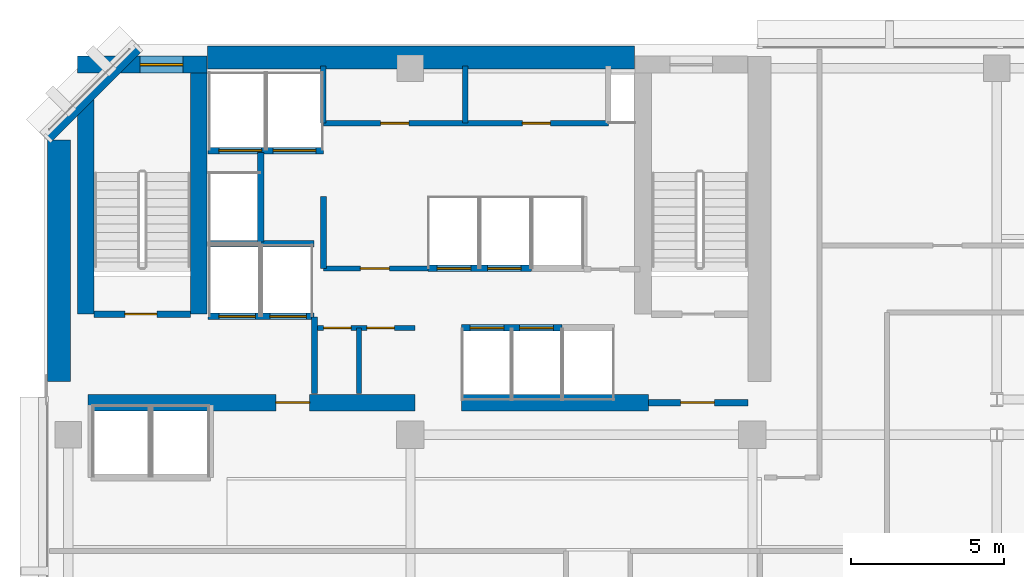
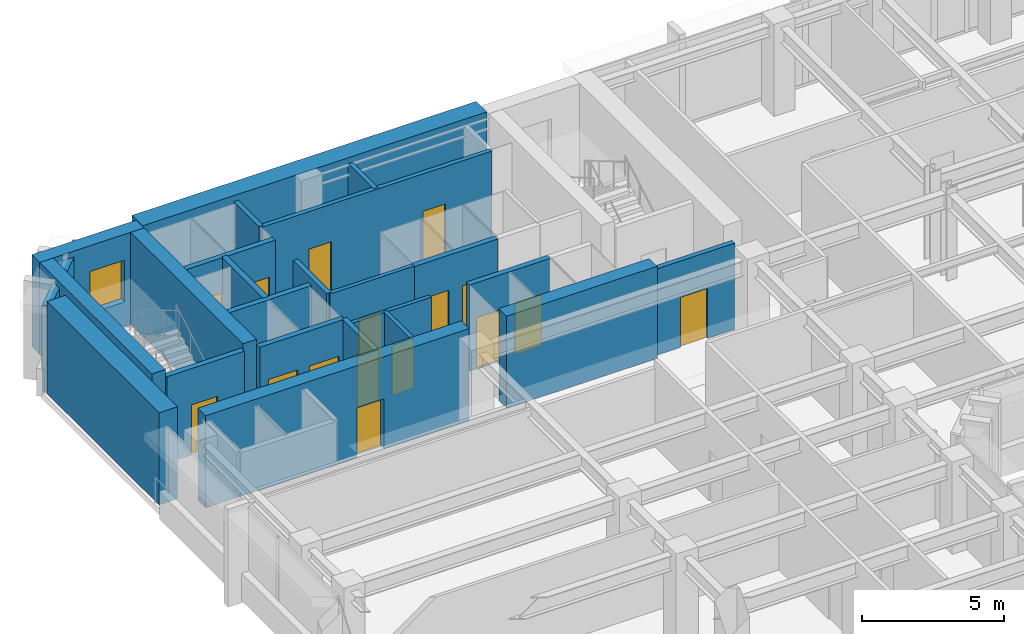
# One storey, part 7 of 11: 24 walls, 16 doors, 1 window, 17 openings.
"""IFC4 building model written with IfcOpenShell, lengths in metres."""

import ifcopenshell
import ifcopenshell.guid

model = None  # the IFC model being written
_history = None  # IfcOwnerHistory: only IFC2X3 demands one
_inside = {}  # id of a spatial element -> (the spatial element, [elements in it])
_under = {}  # id of a project, library or spatial element -> (it, [spatial elements below it])
_declared = {}  # id of a project -> (the project, [libraries it declares])
_typed = {}  # id of a type object -> (the type object, [elements of that type])
_made_of = {}  # id of a material, layer set ... -> (it, [elements and type objects made of it])


def new_model(schema):
    """Start an empty IFC model of exactly this schema.

    Asked for "IFC4X3", IfcOpenShell would pick the latest addendum, in which some entities
    have other attributes; the version numbers below select the first issue.
    IFC2X3 requires an IfcOwnerHistory on every rooted entity: one is made here for all.
    """
    global model, _history
    if schema == "IFC4X3":
        model = ifcopenshell.file(schema_version=(4, 3, 0, 0))
    else:
        model = ifcopenshell.file(schema=schema)
    _inside.clear()
    _under.clear()
    _declared.clear()
    _typed.clear()
    _made_of.clear()
    _history = None
    if model.schema == "IFC2X3":
        org = make("IfcOrganization", Name="unknown")
        user = make(
            "IfcPersonAndOrganization",
            ThePerson=make("IfcPerson", FamilyName="unknown"),
            TheOrganization=org,
        )
        app = make(
            "IfcApplication",
            ApplicationDeveloper=org,
            Version="unknown",
            ApplicationFullName="unknown",
            ApplicationIdentifier="unknown",
        )
        _history = make(
            "IfcOwnerHistory",
            OwningUser=user,
            OwningApplication=app,
            ChangeAction="ADDED",
            CreationDate=0,
        )
    return model


def make(cls, **values):
    """One entity of the class cls with the attributes given. An attribute that is None is left unset."""
    return model.create_entity(
        cls, **{name: value for name, value in values.items() if value is not None}
    )


def rooted(cls, **values):
    """An entity with a GlobalId (a new one), such as an element, a storey or a relation."""
    return make(cls, GlobalId=ifcopenshell.guid.new(), OwnerHistory=_history, **values)


def si_unit(unit_type, name, prefix=None):
    """IfcSIUnit, for example si_unit("LENGTHUNIT", "METRE", prefix="MILLI")."""
    return make("IfcSIUnit", UnitType=unit_type, Prefix=prefix, Name=name)


def assignment(units):
    """IfcUnitAssignment: the units of a project."""
    return None if units is None else make("IfcUnitAssignment", Units=units)


def point(xyz):
    """IfcCartesianPoint."""
    return None if xyz is None else make("IfcCartesianPoint", Coordinates=xyz)


def direction(xyz):
    """IfcDirection."""
    return None if xyz is None else make("IfcDirection", DirectionRatios=xyz)


def frame(location, z_axis=None, x_axis=None):
    """IfcAxis2Placement3D, a coordinate frame: its origin and axes. An axis left out is left unset."""
    return make(
        "IfcAxis2Placement3D",
        Location=point(location),
        Axis=direction(z_axis),
        RefDirection=direction(x_axis),
    )


def frame_2d(location, x_axis=None):
    """IfcAxis2Placement2D, a coordinate frame in the plane: its origin and x axis."""
    return make(
        "IfcAxis2Placement2D", Location=point(location), RefDirection=direction(x_axis)
    )


def origin():
    """The frame at (0, 0, 0) with its axes left unset."""
    return frame((0.0, 0.0, 0.0))


def place(relative_to, where):
    """IfcLocalPlacement: puts the frame where relative to a parent placement (None: the world)."""
    return make(
        "IfcLocalPlacement", PlacementRelTo=relative_to, RelativePlacement=where
    )


def context(
    kind, dimensions, precision=None, world=None, true_north=None, identifier=None
):
    """IfcGeometricRepresentationContext, for example the 3D "Model" context."""
    return make(
        "IfcGeometricRepresentationContext",
        ContextIdentifier=identifier,
        ContextType=kind,
        CoordinateSpaceDimension=dimensions,
        Precision=precision,
        WorldCoordinateSystem=world,
        TrueNorth=true_north,
    )


def subcontext(parent, identifier, kind, view, scale=None):
    """IfcGeometricRepresentationSubContext, for example "Body" below "Model"."""
    return make(
        "IfcGeometricRepresentationSubContext",
        ContextIdentifier=identifier,
        ContextType=kind,
        ParentContext=parent,
        TargetScale=scale,
        TargetView=view,
    )


def project(units=None, contexts=None):
    """IfcProject with its units and contexts."""
    return rooted(
        "IfcProject",
        Name="project",
        RepresentationContexts=contexts,
        UnitsInContext=assignment(units),
    )


def spatial(cls, under=None, at=None, **own):
    """A site, building, storey or space (cls), placed at a placement, below another one or the project."""
    s = rooted(cls, ObjectPlacement=at, **own)
    if under is not None:
        _under.setdefault(under.id(), (under, []))[1].append(s)
    return s


def profile(cls, at=None, kind="AREA", **sizes):
    """A parametric profile (cls). Its sizes go by their IFC names, for example OverallWidth=200.0."""
    return make(cls, ProfileType=kind, Position=at, **sizes)


def rectangle(**sizes):
    """IfcRectangleProfileDef."""
    return profile("IfcRectangleProfileDef", **sizes)


def extrude(swept, where, along, depth):
    """IfcExtrudedAreaSolid: the profile swept, set in the frame where, extruded along a direction by depth."""
    return make(
        "IfcExtrudedAreaSolid",
        SweptArea=swept,
        Position=where,
        ExtrudedDirection=direction(along),
        Depth=depth,
    )


def shape(context_of_items, identifier, shape_type, items):
    """IfcShapeRepresentation: the items that make up one representation, for example the "Body"."""
    return make(
        "IfcShapeRepresentation",
        ContextOfItems=context_of_items,
        RepresentationIdentifier=identifier,
        RepresentationType=shape_type,
        Items=items,
    )


def material(Name=None, Category=None):
    """IfcMaterial."""
    return make("IfcMaterial", Name=Name, Category=Category)


def layer(
    of_material, thickness, ventilated=None, Name=None, Category=None, Priority=None
):
    """IfcMaterialLayer: one layer of a wall or slab, of a material (None: an air gap)."""
    return make(
        "IfcMaterialLayer",
        Material=of_material,
        LayerThickness=thickness,
        IsVentilated=ventilated,
        Name=Name,
        Category=Category,
        Priority=Priority,
    )


def layer_set(layers, Name=None):
    """IfcMaterialLayerSet."""
    return make("IfcMaterialLayerSet", MaterialLayers=layers, LayerSetName=Name)


def made_of(thing, what):
    """Note that an element or type object is made of a material, layer set ...; save() writes the relation."""
    if what is not None:
        _made_of.setdefault(what.id(), (what, []))[1].append(thing)
    return thing


def type_object(cls, material=None, **own):
    """A type object (cls), such as IfcWallType, which elements share."""
    return made_of(rooted(cls, **own), material)


def element(
    cls,
    number,
    at=None,
    inside=None,
    cuts=None,
    type_object=None,
    material=None,
    context=None,
    identifier="Body",
    shape_type=None,
    held_by="IfcProductDefinitionShape",
    body=None,
    shapes=None,
    **own,
):
    """One element of the class cls, such as IfcWall. Its Tag is "e" and its number.

    at: its placement. inside: the storey or other place that contains it. cuts: it is an
    opening in that element (IfcRelVoidsElement). A single representation is given by context,
    identifier, shape_type and body (its items); several are given by shapes. held_by: the class
    of the entity that holds the representations. save() writes the other relations.
    """
    e = rooted(cls, Tag="e%d" % number, ObjectPlacement=at, **own)
    if body is not None:
        shapes = [shape(context, identifier, shape_type, body)]
    if shapes is not None:
        e.Representation = make(held_by, Representations=shapes)
    if inside is not None:
        _inside.setdefault(inside.id(), (inside, []))[1].append(e)
    if cuts is not None:
        rooted(
            "IfcRelVoidsElement", RelatingBuildingElement=cuts, RelatedOpeningElement=e
        )
    if type_object is not None:
        _typed.setdefault(type_object.id(), (type_object, []))[1].append(e)
    return made_of(e, material)


def fill(opening, filler):
    """IfcRelFillsElement: the door or window that sits in an opening."""
    return rooted(
        "IfcRelFillsElement",
        RelatingOpeningElement=opening,
        RelatedBuildingElement=filler,
    )


def aggregate(whole, parts):
    """IfcRelAggregates: a whole, such as a stair, and the parts it consists of."""
    return rooted("IfcRelAggregates", RelatingObject=whole, RelatedObjects=parts)


def save(model, path):
    """Write the relations noted so far, then the file.

    IfcRelAggregates (storeys below a building ...), IfcRelContainedInSpatialStructure (elements
    in a storey), IfcRelDefinesByType, IfcRelAssociatesMaterial and IfcRelDeclares: one each for
    every whole, place, type object, material and project.
    """
    for whole, parts in _under.values():
        aggregate(whole, parts)
    for where, things in _inside.values():
        rooted(
            "IfcRelContainedInSpatialStructure",
            RelatedElements=things,
            RelatingStructure=where,
        )
    for kind, things in _typed.values():
        rooted("IfcRelDefinesByType", RelatedObjects=things, RelatingType=kind)
    for what, things in _made_of.values():
        rooted("IfcRelAssociatesMaterial", RelatedObjects=things, RelatingMaterial=what)
    for by, libraries in _declared.values():
        rooted("IfcRelDeclares", RelatingContext=by, RelatedDefinitions=libraries)
    model.write(path)


model = new_model("IFC4")

# Units and contexts
model_context = context("Model", 3, precision=1e-05, world=origin(), true_north=direction((0.0, 1.0)))
body_context = subcontext(model_context, "Body", "Model", "MODEL_VIEW")
ifc_project = project(units=[si_unit("LENGTHUNIT", "METRE"), si_unit("AREAUNIT", "SQUARE_METRE"), si_unit("VOLUMEUNIT", "CUBIC_METRE"), si_unit("PLANEANGLEUNIT", "RADIAN"), si_unit("MASSUNIT", "GRAM", prefix="KILO")], contexts=[model_context])

# Site, building, storey
site_placement = place(None, origin())
site = spatial("IfcSite", under=ifc_project, at=site_placement, CompositionType="ELEMENT")
building_placement = place(site_placement, origin())
building = spatial("IfcBuilding", under=site, at=building_placement, Name="Kefirva Bronze Tower", CompositionType="ELEMENT")
storey_placement = place(building_placement, frame((0.0, 0.0, 183.47998046875)))
storey = spatial("IfcBuildingStorey", under=building, at=storey_placement, Name="L44", CompositionType="ELEMENT", Elevation=183.47998046875)

# Wall, opening, door
ifc_material_1 = material(Name="Gypsum fireboard shaftwall")
ifc_layer_1 = layer(ifc_material_1, 0.219970703125, Name="Gypsum fireboard shaftwall")
ifc_layer_set_1 = layer_set([ifc_layer_1], Name="Gypsum fireboard shaftwall")
wall_type_1 = type_object("IfcWallType", Name="Fire-Rated Shaft Enclosure Wall 220mm", PredefinedType="PARTITIONING", material=ifc_layer_set_1)
wall_1_placement = place(storey_placement, frame((1.64990234375, 37.14990234375, 0.0), z_axis=(0.0, 0.0, 1.0), x_axis=(1.0, 0.0, 0.0)))
wall_1 = element("IfcWall", 1, at=wall_1_placement, inside=storey, type_object=wall_type_1, Name="L44 Partition W-L44-ST1S", PredefinedType="PARTITIONING", context=body_context, shape_type="SweptSolid", body=[
    extrude(rectangle(XDim=3.150146484375, YDim=0.219970703125, at=frame_2d((1.5751953125, 0.0))), origin(), (0.0, 0.0, 1.0), 3.7099609375),
])
opening_1_placement = place(wall_1_placement, frame((2.050048828125, 0.0, 0.0), z_axis=(0.0, 0.0, 1.0), x_axis=(-1.0, 0.0, 0.0)))
opening_1 = element("IfcOpeningElement", 2, at=opening_1_placement, cuts=wall_1, Name="Opening L44-D001", PredefinedType="OPENING", context=body_context, shape_type="SweptSolid", body=[
    extrude(rectangle(XDim=1.050048828125, YDim=2.14990234375, at=frame_2d((0.52490234375, 1.074951171875))), frame((0.0, 0.1201171875, 0.0), z_axis=(0.0, -1.0, 0.0), x_axis=(1.0, 0.0, 0.0)), (0.0, 0.0, 1.0), 0.239990234375),
])
ifc_material_2 = material(Name="Painted galvanized steel", Category="steel")
door_type_1 = type_object("IfcDoorType", Name="Fire Stair Enclosure Door 1050x2150 FD90S", OperationType="NOTDEFINED", PredefinedType="DOOR", material=ifc_material_2)
door_1_placement = place(opening_1_placement, origin())
door_1 = element("IfcDoor", 3, at=door_1_placement, inside=storey, type_object=door_type_1, Name="Door L44-D001", OperationType="SINGLE_SWING_RIGHT", OverallHeight=2.14990234375, OverallWidth=1.050048828125, PredefinedType="DOOR", context=body_context, shape_type="SweptSolid", body=[
    extrude(rectangle(XDim=1.050048828125, YDim=2.14990234375, at=frame_2d((0.52490234375, 1.074951171875))), frame((0.0, 0.02490234375, 0.0), z_axis=(0.0, -1.0, 0.0), x_axis=(1.0, 0.0, 0.0)), (0.0, 0.0, 1.0), 0.050048828125),
])
fill(opening_1, door_1)

# Wall, openings, doors
wall_2_placement = place(storey_placement, frame((5.3798828125, 37.080078125, 0.0), z_axis=(0.0, 0.0, 1.0), x_axis=(1.0, 0.0, 0.0)))
wall_2 = element("IfcWall", 4, at=wall_2_placement, inside=storey, type_object=wall_type_1, Name="L44 Partition W-L44-FFS", PredefinedType="PARTITIONING", context=body_context, shape_type="SweptSolid", body=[
    extrude(rectangle(XDim=3.460205078125, YDim=0.219970703125, at=frame_2d((1.72998046875, 0.0))), origin(), (0.0, 0.0, 1.0), 3.7099609375),
])
opening_2_placement = place(wall_2_placement, frame((1.550048828125, 0.0, 0.0), z_axis=(0.0, 0.0, 1.0), x_axis=(-1.0, 0.0, 0.0)))
opening_2 = element("IfcOpeningElement", 5, at=opening_2_placement, cuts=wall_2, Name="Opening L44-LD-FF1", PredefinedType="OPENING", context=body_context, shape_type="SweptSolid", body=[
    extrude(rectangle(XDim=1.199951171875, YDim=2.199951171875, at=frame_2d((0.60009765625, 1.10009765625))), frame((0.0, 0.1201171875, 0.0), z_axis=(0.0, -1.0, 0.0), x_axis=(1.0, 0.0, 0.0)), (0.0, 0.0, 1.0), 0.239990234375),
])
opening_3_placement = place(wall_2_placement, frame((3.219970703125, 0.0, 0.0), z_axis=(0.0, 0.0, 1.0), x_axis=(-1.0, 0.0, 0.0)))
opening_3 = element("IfcOpeningElement", 6, at=opening_3_placement, cuts=wall_2, Name="Opening L44-LD-FF2", PredefinedType="OPENING", context=body_context, shape_type="SweptSolid", body=[
    extrude(rectangle(XDim=1.199951171875, YDim=2.199951171875, at=frame_2d((0.60009765625, 1.10009765625))), frame((0.0, 0.1201171875, 0.0), z_axis=(0.0, -1.0, 0.0), x_axis=(1.0, 0.0, 0.0)), (0.0, 0.0, 1.0), 0.239990234375),
])
ifc_material_3 = material(Name="Stainless steel 316", Category="steel")
door_type_2 = type_object("IfcDoorType", Name="Firefighting Lift Sliding Door 1200x2200", OperationType="SLIDING_TO_RIGHT", PredefinedType="DOOR", material=ifc_material_3)
door_2_placement = place(opening_2_placement, origin())
door_2 = element("IfcDoor", 7, at=door_2_placement, inside=storey, type_object=door_type_2, Name="Door L44-LD-FF1", OperationType="SLIDING_TO_RIGHT", OverallHeight=2.199951171875, OverallWidth=1.199951171875, PredefinedType="DOOR", context=body_context, shape_type="SweptSolid", body=[
    extrude(rectangle(XDim=1.199951171875, YDim=2.199951171875, at=frame_2d((0.60009765625, 1.10009765625))), frame((0.0, 0.02490234375, 0.0), z_axis=(0.0, -1.0, 0.0), x_axis=(1.0, 0.0, 0.0)), (0.0, 0.0, 1.0), 0.050048828125),
])
fill(opening_2, door_2)
door_3_placement = place(opening_3_placement, origin())
door_3 = element("IfcDoor", 8, at=door_3_placement, inside=storey, type_object=door_type_2, Name="Door L44-LD-FF2", OperationType="SLIDING_TO_RIGHT", OverallHeight=2.199951171875, OverallWidth=1.199951171875, PredefinedType="DOOR", context=body_context, shape_type="SweptSolid", body=[
    extrude(rectangle(XDim=1.199951171875, YDim=2.199951171875, at=frame_2d((0.60009765625, 1.10009765625))), frame((0.0, 0.02490234375, 0.0), z_axis=(0.0, -1.0, 0.0), x_axis=(1.0, 0.0, 0.0)), (0.0, 0.0, 1.0), 0.050048828125),
])
fill(opening_3, door_3)

# Wall
wall_3_placement = place(storey_placement, frame((5.3798828125, 39.449951171875, 0.0), z_axis=(0.0, 0.0, 1.0), x_axis=(1.0, 0.0, 0.0)))
element("IfcWall", 9, at=wall_3_placement, inside=storey, type_object=wall_type_1, Name="L44 Partition W-L44-FFN", PredefinedType="PARTITIONING", context=body_context, shape_type="SweptSolid", body=[
    extrude(rectangle(XDim=3.460205078125, YDim=0.219970703125, at=frame_2d((1.72998046875, 0.0))), origin(), (0.0, 0.0, 1.0), 3.7099609375),
])

# Wall, openings, doors
wall_4_placement = place(storey_placement, frame((5.3798828125, 42.5, 0.0), z_axis=(0.0, 0.0, 1.0), x_axis=(1.0, 0.0, 0.0)))
wall_4 = element("IfcWall", 10, at=wall_4_placement, inside=storey, type_object=wall_type_1, Name="L44 Partition W-L44-SVS", PredefinedType="PARTITIONING", context=body_context, shape_type="SweptSolid", body=[
    extrude(rectangle(XDim=3.77001953125, YDim=0.219970703125, at=frame_2d((1.885009765625, 0.0))), origin(), (0.0, 0.0, 1.0), 3.7099609375),
])
opening_4_placement = place(wall_4_placement, frame((1.75, 0.0, 0.0), z_axis=(0.0, 0.0, 1.0), x_axis=(-1.0, 0.0, 0.0)))
opening_4 = element("IfcOpeningElement", 11, at=opening_4_placement, cuts=wall_4, Name="Opening L44-LD-SV1", PredefinedType="OPENING", context=body_context, shape_type="SweptSolid", body=[
    extrude(rectangle(XDim=1.39990234375, YDim=2.199951171875, at=frame_2d((0.699951171875, 1.10009765625))), frame((0.0, 0.1201171875, 0.0), z_axis=(0.0, -1.0, 0.0), x_axis=(1.0, 0.0, 0.0)), (0.0, 0.0, 1.0), 0.239990234375),
])
opening_5_placement = place(wall_4_placement, frame((3.52978515625, 0.0, 0.0), z_axis=(0.0, 0.0, 1.0), x_axis=(-1.0, 0.0, 0.0)))
opening_5 = element("IfcOpeningElement", 12, at=opening_5_placement, cuts=wall_4, Name="Opening L44-LD-SV2", PredefinedType="OPENING", context=body_context, shape_type="SweptSolid", body=[
    extrude(rectangle(XDim=1.39990234375, YDim=2.199951171875, at=frame_2d((0.699951171875, 1.10009765625))), frame((0.0, 0.1201171875, 0.0), z_axis=(0.0, -1.0, 0.0), x_axis=(1.0, 0.0, 0.0)), (0.0, 0.0, 1.0), 0.239990234375),
])
door_type_3 = type_object("IfcDoorType", Name="Goods Lift Bi-Parting Sliding Door 1400x2200", OperationType="SLIDING_TO_LEFT", PredefinedType="DOOR", material=ifc_material_3)
door_4_placement = place(opening_4_placement, origin())
door_4 = element("IfcDoor", 13, at=door_4_placement, inside=storey, type_object=door_type_3, Name="Door L44-LD-SV1", OperationType="SLIDING_TO_LEFT", OverallHeight=2.199951171875, OverallWidth=1.39990234375, PredefinedType="DOOR", context=body_context, shape_type="SweptSolid", body=[
    extrude(rectangle(XDim=1.39990234375, YDim=2.199951171875, at=frame_2d((0.699951171875, 1.10009765625))), frame((0.0, 0.02490234375, 0.0), z_axis=(0.0, -1.0, 0.0), x_axis=(1.0, 0.0, 0.0)), (0.0, 0.0, 1.0), 0.050048828125),
])
fill(opening_4, door_4)
door_5_placement = place(opening_5_placement, origin())
door_5 = element("IfcDoor", 14, at=door_5_placement, inside=storey, type_object=door_type_3, Name="Door L44-LD-SV2", OperationType="SLIDING_TO_LEFT", OverallHeight=2.199951171875, OverallWidth=1.39990234375, PredefinedType="DOOR", context=body_context, shape_type="SweptSolid", body=[
    extrude(rectangle(XDim=1.39990234375, YDim=2.199951171875, at=frame_2d((0.699951171875, 1.10009765625))), frame((0.0, 0.02490234375, 0.0), z_axis=(0.0, -1.0, 0.0), x_axis=(1.0, 0.0, 0.0)), (0.0, 0.0, 1.0), 0.050048828125),
])
fill(opening_5, door_5)

# Walls
wall_5_placement = place(storey_placement, frame((7.10009765625, 39.52001953125, 0.0), z_axis=(0.0, 0.0, 1.0), x_axis=(0.0, 1.0, 0.0)))
element("IfcWall", 15, at=wall_5_placement, inside=storey, type_object=wall_type_1, Name="L44 Partition W-L44-HP3E", PredefinedType="PARTITIONING", context=body_context, shape_type="SweptSolid", body=[
    extrude(rectangle(XDim=2.929931640625, YDim=0.219970703125, at=frame_2d((1.46484375, 0.0))), origin(), (0.0, 0.0, 1.0), 3.7099609375),
])
wall_6_placement = place(storey_placement, frame((9.159912109375, 38.64990234375, 0.0), z_axis=(0.0, 0.0, 1.0), x_axis=(0.0, 1.0, 0.0)))
element("IfcWall", 16, at=wall_6_placement, inside=storey, type_object=wall_type_1, Name="L44 Partition W-L44-LP3W", PredefinedType="PARTITIONING", context=body_context, shape_type="SweptSolid", body=[
    extrude(rectangle(XDim=2.35009765625, YDim=0.199951171875, at=frame_2d((1.175048828125, 0.0))), origin(), (0.0, 0.0, 1.0), 3.7099609375),
])

# Wall, openings, doors
wall_7_placement = place(storey_placement, frame((13.679931640625, 36.699951171875, 0.0), z_axis=(0.0, 0.0, 1.0), x_axis=(1.0, 0.0, 0.0)))
wall_7 = element("IfcWall", 17, at=wall_7_placement, inside=storey, type_object=wall_type_1, Name="L44 Partition W-L44-MPS", PredefinedType="PARTITIONING", context=body_context, shape_type="SweptSolid", body=[
    extrude(rectangle(XDim=3.280029296875, YDim=0.219970703125, at=frame_2d((1.64013671875, 0.0))), origin(), (0.0, 0.0, 1.0), 3.7099609375),
])
opening_6_placement = place(wall_7_placement, frame((0.280029296875, 0.0, 0.0)))
opening_6 = element("IfcOpeningElement", 18, at=opening_6_placement, cuts=wall_7, Name="Opening L44-LD-MP1", PredefinedType="OPENING", context=body_context, shape_type="SweptSolid", body=[
    extrude(rectangle(XDim=1.10009765625, YDim=2.199951171875, at=frame_2d((0.550048828125, 1.10009765625))), frame((0.0, 0.1201171875, 0.0), z_axis=(0.0, -1.0, 0.0), x_axis=(1.0, 0.0, 0.0)), (0.0, 0.0, 1.0), 0.239990234375),
])
opening_7_placement = place(wall_7_placement, frame((1.89990234375, 0.0, 0.0)))
opening_7 = element("IfcOpeningElement", 19, at=opening_7_placement, cuts=wall_7, Name="Opening L44-LD-MP2", PredefinedType="OPENING", context=body_context, shape_type="SweptSolid", body=[
    extrude(rectangle(XDim=1.10009765625, YDim=2.199951171875, at=frame_2d((0.550048828125, 1.10009765625))), frame((0.0, 0.1201171875, 0.0), z_axis=(0.0, -1.0, 0.0), x_axis=(1.0, 0.0, 0.0)), (0.0, 0.0, 1.0), 0.239990234375),
])
door_type_4 = type_object("IfcDoorType", Name="Passenger Lift Sliding Landing Door 1100x2200", OperationType="SLIDING_TO_LEFT", PredefinedType="DOOR", material=ifc_material_3)
door_6_placement = place(opening_6_placement, origin())
door_6 = element("IfcDoor", 20, at=door_6_placement, inside=storey, type_object=door_type_4, Name="Door L44-LD-MP1", OperationType="SLIDING_TO_RIGHT", OverallHeight=2.199951171875, OverallWidth=1.10009765625, PredefinedType="DOOR", context=body_context, shape_type="SweptSolid", body=[
    extrude(rectangle(XDim=1.10009765625, YDim=2.199951171875, at=frame_2d((0.550048828125, 1.10009765625))), frame((0.0, 0.02490234375, 0.0), z_axis=(0.0, -1.0, 0.0), x_axis=(1.0, 0.0, 0.0)), (0.0, 0.0, 1.0), 0.050048828125),
])
fill(opening_6, door_6)
door_7_placement = place(opening_7_placement, origin())
door_7 = element("IfcDoor", 21, at=door_7_placement, inside=storey, type_object=door_type_4, Name="Door L44-LD-MP2", OperationType="SLIDING_TO_RIGHT", OverallHeight=2.199951171875, OverallWidth=1.10009765625, PredefinedType="DOOR", context=body_context, shape_type="SweptSolid", body=[
    extrude(rectangle(XDim=1.10009765625, YDim=2.199951171875, at=frame_2d((0.550048828125, 1.10009765625))), frame((0.0, 0.02490234375, 0.0), z_axis=(0.0, -1.0, 0.0), x_axis=(1.0, 0.0, 0.0)), (0.0, 0.0, 1.0), 0.050048828125),
])
fill(opening_7, door_7)

wall_8_placement = place(storey_placement, frame((12.580078125, 38.64990234375, 0.0), z_axis=(0.0, 0.0, 1.0), x_axis=(1.0, 0.0, 0.0)))
wall_8 = element("IfcWall", 22, at=wall_8_placement, inside=storey, type_object=wall_type_1, Name="L44 Partition W-L44-MPN", PredefinedType="PARTITIONING", context=body_context, shape_type="SweptSolid", body=[
    extrude(rectangle(XDim=3.3798828125, YDim=0.219970703125, at=frame_2d((1.68994140625, 0.0))), origin(), (0.0, 0.0, 1.0), 3.7099609375),
])
opening_8_placement = place(wall_8_placement, frame((0.300048828125, 0.0, 0.0)))
opening_8 = element("IfcOpeningElement", 23, at=opening_8_placement, cuts=wall_8, Name="Opening L44-LD-MP3", PredefinedType="OPENING", context=body_context, shape_type="SweptSolid", body=[
    extrude(rectangle(XDim=1.10009765625, YDim=2.199951171875, at=frame_2d((0.550048828125, 1.10009765625))), frame((0.0, 0.1201171875, 0.0), z_axis=(0.0, -1.0, 0.0), x_axis=(1.0, 0.0, 0.0)), (0.0, 0.0, 1.0), 0.239990234375),
])
opening_9_placement = place(wall_8_placement, frame((1.949951171875, 0.0, 0.0)))
opening_9 = element("IfcOpeningElement", 24, at=opening_9_placement, cuts=wall_8, Name="Opening L44-LD-MP4", PredefinedType="OPENING", context=body_context, shape_type="SweptSolid", body=[
    extrude(rectangle(XDim=1.10009765625, YDim=2.199951171875, at=frame_2d((0.550048828125, 1.10009765625))), frame((0.0, 0.1201171875, 0.0), z_axis=(0.0, -1.0, 0.0), x_axis=(1.0, 0.0, 0.0)), (0.0, 0.0, 1.0), 0.239990234375),
])
door_8_placement = place(opening_8_placement, origin())
door_8 = element("IfcDoor", 25, at=door_8_placement, inside=storey, type_object=door_type_4, Name="Door L44-LD-MP3", OperationType="SLIDING_TO_RIGHT", OverallHeight=2.199951171875, OverallWidth=1.10009765625, PredefinedType="DOOR", context=body_context, shape_type="SweptSolid", body=[
    extrude(rectangle(XDim=1.10009765625, YDim=2.199951171875, at=frame_2d((0.550048828125, 1.10009765625))), frame((0.0, 0.02490234375, 0.0), z_axis=(0.0, -1.0, 0.0), x_axis=(1.0, 0.0, 0.0)), (0.0, 0.0, 1.0), 0.050048828125),
])
fill(opening_8, door_8)
door_9_placement = place(opening_9_placement, origin())
door_9 = element("IfcDoor", 26, at=door_9_placement, inside=storey, type_object=door_type_4, Name="Door L44-LD-MP4", OperationType="SLIDING_TO_RIGHT", OverallHeight=2.199951171875, OverallWidth=1.10009765625, PredefinedType="DOOR", context=body_context, shape_type="SweptSolid", body=[
    extrude(rectangle(XDim=1.10009765625, YDim=2.199951171875, at=frame_2d((0.550048828125, 1.10009765625))), frame((0.0, 0.02490234375, 0.0), z_axis=(0.0, -1.0, 0.0), x_axis=(1.0, 0.0, 0.0)), (0.0, 0.0, 1.0), 0.050048828125),
])
fill(opening_9, door_9)

# Wall
ifc_material_4 = material(Name="Gypsum fireboard barrier")
ifc_layer_2 = layer(ifc_material_4, 0.199951171875, Name="Gypsum fireboard barrier")
ifc_layer_set_2 = layer_set([ifc_layer_2], Name="Gypsum fireboard barrier")
wall_type_2 = type_object("IfcWallType", Name="Firefighting Lobby Barrier Wall 200mm", PredefinedType="PARTITIONING", material=ifc_layer_set_2)
wall_9_placement = place(storey_placement, frame((8.860107421875, 34.550048828125, 0.0), z_axis=(0.0, 0.0, 1.0), x_axis=(0.0, 1.0, 0.0)))
element("IfcWall", 27, at=wall_9_placement, inside=storey, type_object=wall_type_2, Name="L44 Partition W-L44-FFLE", PredefinedType="PARTITIONING", context=body_context, shape_type="SweptSolid", body=[
    extrude(rectangle(XDim=2.5, YDim=0.199951171875, at=frame_2d((1.25, 0.0))), origin(), (0.0, 0.0, 1.0), 3.7099609375),
])

# Wall, opening, door
wall_10_placement = place(storey_placement, frame((19.800048828125, 34.25, 0.0), z_axis=(0.0, 0.0, 1.0), x_axis=(1.0, 0.0, 0.0)))
wall_10 = element("IfcWall", 28, at=wall_10_placement, inside=storey, type_object=wall_type_2, Name="L44 Partition W-L44-ST2F", PredefinedType="PARTITIONING", context=body_context, shape_type="SweptSolid", body=[
    extrude(rectangle(XDim=3.25, YDim=0.199951171875, at=frame_2d((1.625, 0.0))), origin(), (0.0, 0.0, 1.0), 3.7099609375),
])
opening_10_placement = place(wall_10_placement, frame((2.150146484375, 0.0, 0.0), z_axis=(0.0, 0.0, 1.0), x_axis=(-1.0, 0.0, 0.0)))
opening_10 = element("IfcOpeningElement", 29, at=opening_10_placement, cuts=wall_10, Name="Opening L44-D004", PredefinedType="OPENING", context=body_context, shape_type="SweptSolid", body=[
    extrude(rectangle(XDim=1.10009765625, YDim=2.14990234375, at=frame_2d((0.550048828125, 1.074951171875))), frame((0.0, 0.10986328125, 0.0), z_axis=(0.0, -1.0, 0.0), x_axis=(1.0, 0.0, 0.0)), (0.0, 0.0, 1.0), 0.219970703125),
])
door_type_5 = type_object("IfcDoorType", Name="Firefighting Lobby Smoke Door 1100x2150 FD60S", OperationType="NOTDEFINED", PredefinedType="DOOR", material=ifc_material_2)
door_10_placement = place(opening_10_placement, origin())
door_10 = element("IfcDoor", 30, at=door_10_placement, inside=storey, type_object=door_type_5, Name="Door L44-D004", OperationType="SINGLE_SWING_LEFT", OverallHeight=2.14990234375, OverallWidth=1.10009765625, PredefinedType="DOOR", context=body_context, shape_type="SweptSolid", body=[
    extrude(rectangle(XDim=1.10009765625, YDim=2.14990234375, at=frame_2d((0.550048828125, 1.074951171875))), frame((0.0, 0.02490234375, 0.0), z_axis=(0.0, -1.0, 0.0), x_axis=(1.0, 0.0, 0.0)), (0.0, 0.0, 1.0), 0.050048828125),
])
fill(opening_10, door_10)

# Wall
ifc_material_5 = material(Name="Precast concrete C40/50", Category="concrete")
ifc_layer_3 = layer(ifc_material_5, 0.320068359375, Name="Precast concrete C40/50")
ifc_layer_set_3 = layer_set([ifc_layer_3], Name="Precast concrete C40/50")
wall_type_3 = type_object("IfcWallType", Name="Precast Insulated Exterior Wall 320mm", PredefinedType="SOLIDWALL", material=ifc_layer_set_3)
wall_11_placement = place(storey_placement, frame((3.07421875, 45.847900390625, 0.0), z_axis=(0.0, 0.0, 1.0), x_axis=(-0.707106781187, -0.707106781187, 0.0)))
element("IfcWall", 31, at=wall_11_placement, inside=storey, type_object=wall_type_3, Name="L44 Exterior Facade Wall 8", PredefinedType="SOLIDWALL", context=body_context, shape_type="SweptSolid", body=[
    extrude(rectangle(XDim=4.132568359375, YDim=0.320068359375, at=frame_2d((2.06640625, 0.0))), origin(), (0.0, 0.0, 1.0), 3.7099609375),
])

# Wall, openings, doors
ifc_material_6 = material(Name="Gypsum acoustic partition")
ifc_layer_4 = layer(ifc_material_6, 0.159912109375, Name="Gypsum acoustic partition")
ifc_layer_set_4 = layer_set([ifc_layer_4], Name="Gypsum acoustic partition")
wall_type_4 = type_object("IfcWallType", Name="Protected Corridor Partition 160mm", PredefinedType="PARTITIONING", material=ifc_layer_set_4)
wall_12_placement = place(storey_placement, frame((8.89990234375, 36.699951171875, 0.0), z_axis=(0.0, 0.0, 1.0), x_axis=(1.0, 0.0, 0.0)))
wall_12 = element("IfcWall", 32, at=wall_12_placement, inside=storey, type_object=wall_type_4, Name="L44 Partition W-L44-RECLP1", PredefinedType="PARTITIONING", context=body_context, shape_type="SweptSolid", body=[
    extrude(rectangle(XDim=3.25, YDim=0.159912109375, at=frame_2d((1.625, 0.0))), origin(), (0.0, 0.0, 1.0), 3.7099609375),
])
opening_11_placement = place(wall_12_placement, frame((0.260009765625, 0.0, 0.0)))
opening_11 = element("IfcOpeningElement", 33, at=opening_11_placement, cuts=wall_12, Name="Opening L44-D-RECLP1A", PredefinedType="OPENING", context=body_context, shape_type="SweptSolid", body=[
    extrude(rectangle(XDim=0.89990234375, YDim=2.14990234375, at=frame_2d((0.449951171875, 1.074951171875))), frame((0.0, 0.08984375, 0.0), z_axis=(0.0, -1.0, 0.0), x_axis=(1.0, 0.0, 0.0)), (0.0, 0.0, 1.0), 0.179931640625),
])
opening_12_placement = place(wall_12_placement, frame((1.679931640625, 0.0, 0.0)))
opening_12 = element("IfcOpeningElement", 34, at=opening_12_placement, cuts=wall_12, Name="Opening L44-D-RECLP1B", PredefinedType="OPENING", context=body_context, shape_type="SweptSolid", body=[
    extrude(rectangle(XDim=0.89990234375, YDim=2.14990234375, at=frame_2d((0.449951171875, 1.074951171875))), frame((0.0, 0.08984375, 0.0), z_axis=(0.0, -1.0, 0.0), x_axis=(1.0, 0.0, 0.0)), (0.0, 0.0, 1.0), 0.179931640625),
])
door_type_6 = type_object("IfcDoorType", Name="Core Archive & Server Fire Door 900x2150 FD60S", OperationType="NOTDEFINED", PredefinedType="DOOR", material=ifc_material_2)
door_11_placement = place(opening_11_placement, origin())
door_11 = element("IfcDoor", 35, at=door_11_placement, inside=storey, type_object=door_type_6, Name="Door L44-D-RECLP1A", OperationType="SINGLE_SWING_LEFT", OverallHeight=2.14990234375, OverallWidth=0.89990234375, PredefinedType="DOOR", context=body_context, shape_type="SweptSolid", body=[
    extrude(rectangle(XDim=0.89990234375, YDim=2.14990234375, at=frame_2d((0.449951171875, 1.074951171875))), frame((0.0, 0.02490234375, 0.0), z_axis=(0.0, -1.0, 0.0), x_axis=(1.0, 0.0, 0.0)), (0.0, 0.0, 1.0), 0.050048828125),
])
fill(opening_11, door_11)
door_12_placement = place(opening_12_placement, origin())
door_12 = element("IfcDoor", 36, at=door_12_placement, inside=storey, type_object=door_type_6, Name="Door L44-D-RECLP1B", OperationType="SINGLE_SWING_RIGHT", OverallHeight=2.14990234375, OverallWidth=0.89990234375, PredefinedType="DOOR", context=body_context, shape_type="SweptSolid", body=[
    extrude(rectangle(XDim=0.89990234375, YDim=2.14990234375, at=frame_2d((0.449951171875, 1.074951171875))), frame((0.0, 0.02490234375, 0.0), z_axis=(0.0, -1.0, 0.0), x_axis=(1.0, 0.0, 0.0)), (0.0, 0.0, 1.0), 0.050048828125),
])
fill(opening_12, door_12)

# Wall
wall_13_placement = place(storey_placement, frame((10.320068359375, 34.550048828125, 0.0), z_axis=(0.0, 0.0, 1.0), x_axis=(0.0, 1.0, 0.0)))
element("IfcWall", 37, at=wall_13_placement, inside=storey, type_object=wall_type_4, Name="L44 Partition W-L44-RECLP1D", PredefinedType="PARTITIONING", context=body_context, shape_type="SweptSolid", body=[
    extrude(rectangle(XDim=2.14990234375, YDim=0.159912109375, at=frame_2d((1.074951171875, 0.0))), origin(), (0.0, 0.0, 1.0), 3.7099609375),
])

# Wall, opening, door
wall_14_placement = place(storey_placement, frame((9.159912109375, 38.64990234375, 0.0), z_axis=(0.0, 0.0, 1.0), x_axis=(1.0, 0.0, 0.0)))
wall_14 = element("IfcWall", 38, at=wall_14_placement, inside=storey, type_object=wall_type_4, Name="L44 Partition W-L44-RECLP2", PredefinedType="PARTITIONING", context=body_context, shape_type="SweptSolid", body=[
    extrude(rectangle(XDim=3.420166015625, YDim=0.159912109375, at=frame_2d((1.7099609375, 0.0))), origin(), (0.0, 0.0, 1.0), 3.7099609375),
])
opening_13_placement = place(wall_14_placement, frame((2.14990234375, 0.0, 0.0), z_axis=(0.0, 0.0, 1.0), x_axis=(-1.0, 0.0, 0.0)))
opening_13 = element("IfcOpeningElement", 39, at=opening_13_placement, cuts=wall_14, Name="Opening L44-D-RECLP2", PredefinedType="OPENING", context=body_context, shape_type="SweptSolid", body=[
    extrude(rectangle(XDim=0.949951171875, YDim=2.14990234375, at=frame_2d((0.47509765625, 1.074951171875))), frame((0.0, 0.08984375, 0.0), z_axis=(0.0, -1.0, 0.0), x_axis=(1.0, 0.0, 0.0)), (0.0, 0.0, 1.0), 0.179931640625),
])
ifc_material_7 = material(Name="Acoustic hardwood oak", Category="wood")
door_type_7 = type_object("IfcDoorType", Name="Office & Meeting Room Door 950x2150", OperationType="NOTDEFINED", PredefinedType="DOOR", material=ifc_material_7)
door_13_placement = place(opening_13_placement, origin())
door_13 = element("IfcDoor", 40, at=door_13_placement, inside=storey, type_object=door_type_7, Name="Door L44-D-RECLP2", OperationType="SINGLE_SWING_LEFT", OverallHeight=2.14990234375, OverallWidth=0.949951171875, PredefinedType="DOOR", context=body_context, shape_type="SweptSolid", body=[
    extrude(rectangle(XDim=0.949951171875, YDim=2.14990234375, at=frame_2d((0.47509765625, 1.074951171875))), frame((0.0, 0.02490234375, 0.0), z_axis=(0.0, -1.0, 0.0), x_axis=(1.0, 0.0, 0.0)), (0.0, 0.0, 1.0), 0.050048828125),
])
fill(opening_13, door_13)

# Wall, opening, window
ifc_material_8 = material(Name="Concrete C50/60", Category="concrete")
ifc_layer_5 = layer(ifc_material_8, 0.550048828125, Name="Concrete C50/60")
ifc_layer_set_5 = layer_set([ifc_layer_5], Name="Concrete C50/60")
wall_type_5 = type_object("IfcWallType", Name="RC Rear Core Exterior Wall 550mm", PredefinedType="SHEAR", material=ifc_layer_set_5)
wall_15_placement = place(storey_placement, frame((1.10009765625, 45.320068359375, 0.0), z_axis=(0.0, 0.0, 1.0), x_axis=(1.0, 0.0, 0.0)))
wall_15 = element("IfcWall", 41, at=wall_15_placement, inside=storey, type_object=wall_type_5, Name="L44 Stair 1 North Shear Wall", PredefinedType="SHEAR", context=body_context, shape_type="SweptSolid", body=[
    extrude(rectangle(XDim=4.239990234375, YDim=0.550048828125, at=frame_2d((2.1201171875, 0.0))), origin(), (0.0, 0.0, 1.0), 3.9599609375),
])
opening_14_placement = place(wall_15_placement, frame((2.050048828125, 0.0, 1.050048828125)))
opening_14 = element("IfcOpeningElement", 42, at=opening_14_placement, cuts=wall_15, Name="Opening WN-03", PredefinedType="OPENING", context=body_context, shape_type="SweptSolid", body=[
    extrude(rectangle(XDim=1.39990234375, YDim=1.800048828125, at=frame_2d((0.699951171875, 0.89990234375))), frame((0.0, 0.28515625, 0.0), z_axis=(0.0, -1.0, 0.0), x_axis=(1.0, 0.0, 0.0)), (0.0, 0.0, 1.0), 0.570068359375),
])
ifc_material_9 = material(Name="Laminated low-E double glazing", Category="glass")
window_type = type_object("IfcWindowType", Name="Rear-Core Stair Daylight Window 1400x1800", PartitioningType="SINGLE_PANEL", PredefinedType="WINDOW", material=ifc_material_9)
window_placement = place(opening_14_placement, origin())
window = element("IfcWindow", 43, at=window_placement, inside=storey, type_object=window_type, Name="L44 Stair 1 Daylight Window", OverallHeight=1.800048828125, OverallWidth=1.39990234375, PartitioningType="SINGLE_PANEL", PredefinedType="WINDOW", context=body_context, shape_type="SweptSolid", body=[
    extrude(rectangle(XDim=1.39990234375, YDim=1.800048828125, at=frame_2d((0.699951171875, 0.89990234375))), frame((0.0, 0.030029296875, 0.0), z_axis=(0.0, -1.0, 0.0), x_axis=(1.0, 0.0, 0.0)), (0.0, 0.0, 1.0), 0.06005859375),
])
fill(opening_14, window)

# Walls
ifc_material_10 = material(Name="Concrete C60/75", Category="concrete")
ifc_layer_6 = layer(ifc_material_10, 0.75, Name="Concrete C60/75")
ifc_layer_set_6 = layer_set([ifc_layer_6], Name="Concrete C60/75")
wall_type_6 = type_object("IfcWallType", Name="RC Rear Core Exterior Wall 750mm", PredefinedType="SHEAR", material=ifc_layer_set_6)
wall_16_placement = place(storey_placement, frame((5.360107421875, 45.550048828125, 0.0), z_axis=(0.0, 0.0, 1.0), x_axis=(1.0, 0.0, 0.0)))
element("IfcWall", 44, at=wall_16_placement, inside=storey, type_object=wall_type_6, Name="L44 Rear Core North Shear Wall", PredefinedType="SHEAR", context=body_context, shape_type="SweptSolid", body=[
    extrude(rectangle(XDim=13.97998046875, YDim=0.75, at=frame_2d((6.989990234375, 0.0))), origin(), (0.0, 0.0, 1.0), 3.9599609375),
])
wall_17_placement = place(storey_placement, frame((0.5, 34.949951171875, 0.0), z_axis=(0.0, 0.0, 1.0), x_axis=(0.0, 1.0, 0.0)))
element("IfcWall", 45, at=wall_17_placement, inside=storey, type_object=wall_type_6, Name="L44 Rear Core West Shear Wall", PredefinedType="SHEAR", context=body_context, shape_type="SweptSolid", body=[
    extrude(rectangle(XDim=7.900146484375, YDim=0.75, at=frame_2d((3.9501953125, 0.0))), origin(), (0.0, 0.0, 1.0), 3.9599609375),
])
ifc_layer_7 = layer(ifc_material_8, 0.550048828125, Name="Concrete C50/60")
ifc_layer_set_7 = layer_set([ifc_layer_7], Name="Concrete C50/60")
wall_type_7 = type_object("IfcWallType", Name="RC Rear Core Interior Wall 550mm", PredefinedType="SHEAR", material=ifc_layer_set_7)
for number, where, z_axis, x_axis, name in (
    (46, (1.3701171875, 37.14990234375, 0.0), (0.0, 0.0, 1.0), (0.0, 1.0, 0.0), "L44 Stair 1 West Shear Wall"),
    (47, (5.070068359375, 37.14990234375, 0.0), (0.0, 0.0, 1.0), (0.0, 1.0, 0.0), "L44 Stair 1 East Shear Wall"),
):
    element("IfcWall", number, at=place(storey_placement, frame(where, z_axis=z_axis, x_axis=x_axis)), inside=storey, type_object=wall_type_7, Name=name, PredefinedType="SHEAR", context=body_context, shape_type="SweptSolid", body=[
        extrude(rectangle(XDim=7.89013671875, YDim=0.550048828125, at=frame_2d((3.945068359375, 0.0))), origin(), (0.0, 0.0, 1.0), 3.9599609375),
    ])

# Wall, opening, door
ifc_layer_8 = layer(ifc_material_10, 0.75, Name="Concrete C60/75")
ifc_layer_set_8 = layer_set([ifc_layer_8], Name="Concrete C60/75")
wall_type_8 = type_object("IfcWallType", Name="RC Rear Core Interior Wall 750mm", PredefinedType="SHEAR", material=ifc_layer_set_8)
wall_18_placement = place(storey_placement, frame((1.449951171875, 34.25, 0.0), z_axis=(0.0, 0.0, 1.0), x_axis=(1.0, 0.0, 0.0)))
wall_18 = element("IfcWall", 48, at=wall_18_placement, inside=storey, type_object=wall_type_8, Name="L44 Rear Core South-West Shear Wall", PredefinedType="SHEAR", context=body_context, shape_type="SweptSolid", body=[
    extrude(rectangle(XDim=10.7099609375, YDim=0.550048828125, at=frame_2d((5.35498046875, 0.0))), origin(), (0.0, 0.0, 1.0), 3.9599609375),
])
opening_15_placement = place(wall_18_placement, frame((7.25, 0.0, 0.0), z_axis=(0.0, 0.0, 1.0), x_axis=(-1.0, 0.0, 0.0)))
opening_15 = element("IfcOpeningElement", 49, at=opening_15_placement, cuts=wall_18, Name="Opening L44-D002", PredefinedType="OPENING", context=body_context, shape_type="SweptSolid", body=[
    extrude(rectangle(XDim=1.10009765625, YDim=2.14990234375, at=frame_2d((0.550048828125, 1.074951171875))), frame((0.0, 0.28515625, 0.0), z_axis=(0.0, -1.0, 0.0), x_axis=(1.0, 0.0, 0.0)), (0.0, 0.0, 1.0), 0.570068359375),
])
door_14_placement = place(opening_15_placement, origin())
door_14 = element("IfcDoor", 50, at=door_14_placement, inside=storey, type_object=door_type_5, Name="Door L44-D002", OperationType="SINGLE_SWING_LEFT", OverallHeight=2.14990234375, OverallWidth=1.10009765625, PredefinedType="DOOR", context=body_context, shape_type="SweptSolid", body=[
    extrude(rectangle(XDim=1.10009765625, YDim=2.14990234375, at=frame_2d((0.550048828125, 1.074951171875))), frame((0.0, 0.02490234375, 0.0), z_axis=(0.0, -1.0, 0.0), x_axis=(1.0, 0.0, 0.0)), (0.0, 0.0, 1.0), 0.050048828125),
])
fill(opening_15, door_14)

# Wall
wall_19_placement = place(storey_placement, frame((13.679931640625, 34.25, 0.0), z_axis=(0.0, 0.0, 1.0), x_axis=(1.0, 0.0, 0.0)))
element("IfcWall", 51, at=wall_19_placement, inside=storey, type_object=wall_type_8, Name="L44 Rear Core South-East Shear Wall", PredefinedType="SHEAR", context=body_context, shape_type="SweptSolid", body=[
    extrude(rectangle(XDim=6.1201171875, YDim=0.550048828125, at=frame_2d((3.06005859375, 0.0))), origin(), (0.0, 0.0, 1.0), 3.9599609375),
])

# Wall, openings, doors
ifc_material_11 = material(Name="Moisture-resistant partition")
ifc_layer_9 = layer(ifc_material_11, 0.179931640625, Name="Moisture-resistant partition")
ifc_layer_set_9 = layer_set([ifc_layer_9], Name="Moisture-resistant partition")
wall_type_9 = type_object("IfcWallType", Name="Sanitary Plumbing Chase Wall 180mm", PredefinedType="PLUMBINGWALL", material=ifc_layer_set_9)
wall_20_placement = place(storey_placement, frame((9.14990234375, 43.39990234375, 0.0), z_axis=(0.0, 0.0, 1.0), x_axis=(1.0, 0.0, 0.0)))
wall_20 = element("IfcWall", 52, at=wall_20_placement, inside=storey, type_object=wall_type_9, Name="L44 Partition W-L44-SVCS", PredefinedType="PLUMBINGWALL", context=body_context, shape_type="SweptSolid", body=[
    extrude(rectangle(XDim=9.330078125, YDim=0.179931640625, at=frame_2d((4.6650390625, 0.0))), origin(), (0.0, 0.0, 1.0), 3.7099609375),
])
opening_16_placement = place(wall_20_placement, frame((1.8798828125, 0.0, 0.0)))
opening_16 = element("IfcOpeningElement", 53, at=opening_16_placement, cuts=wall_20, Name="Opening L44-D-CSVC1", PredefinedType="OPENING", context=body_context, shape_type="SweptSolid", body=[
    extrude(rectangle(XDim=0.919921875, YDim=2.10009765625, at=frame_2d((0.4599609375, 1.050048828125))), frame((0.0, 0.10009765625, 0.0), z_axis=(0.0, -1.0, 0.0), x_axis=(1.0, 0.0, 0.0)), (0.0, 0.0, 1.0), 0.199951171875),
])
opening_17_placement = place(wall_20_placement, frame((6.514892578125, 0.0, 0.0)))
opening_17 = element("IfcOpeningElement", 54, at=opening_17_placement, cuts=wall_20, Name="Opening L44-D-CSVC2", PredefinedType="OPENING", context=body_context, shape_type="SweptSolid", body=[
    extrude(rectangle(XDim=0.919921875, YDim=2.10009765625, at=frame_2d((0.4599609375, 1.050048828125))), frame((0.0, 0.10009765625, 0.0), z_axis=(0.0, -1.0, 0.0), x_axis=(1.0, 0.0, 0.0)), (0.0, 0.0, 1.0), 0.199951171875),
])
ifc_material_12 = material(Name="Moisture-resistant timber", Category="wood")
door_type_8 = type_object("IfcDoorType", Name="Accessible Sanitary & WC Door 920x2100", OperationType="NOTDEFINED", PredefinedType="DOOR", material=ifc_material_12)
door_15_placement = place(opening_16_placement, origin())
door_15 = element("IfcDoor", 55, at=door_15_placement, inside=storey, type_object=door_type_8, Name="Door L44-D-CSVC1", OperationType="SINGLE_SWING_RIGHT", OverallHeight=2.10009765625, OverallWidth=0.919921875, PredefinedType="DOOR", context=body_context, shape_type="SweptSolid", body=[
    extrude(rectangle(XDim=0.919921875, YDim=2.10009765625, at=frame_2d((0.4599609375, 1.050048828125))), frame((0.0, 0.02490234375, 0.0), z_axis=(0.0, -1.0, 0.0), x_axis=(1.0, 0.0, 0.0)), (0.0, 0.0, 1.0), 0.050048828125),
])
fill(opening_16, door_15)
door_16_placement = place(opening_17_placement, origin())
door_16 = element("IfcDoor", 56, at=door_16_placement, inside=storey, type_object=door_type_8, Name="Door L44-D-CSVC2", OperationType="SINGLE_SWING_LEFT", OverallHeight=2.10009765625, OverallWidth=0.919921875, PredefinedType="DOOR", context=body_context, shape_type="SweptSolid", body=[
    extrude(rectangle(XDim=0.919921875, YDim=2.10009765625, at=frame_2d((0.4599609375, 1.050048828125))), frame((0.0, 0.02490234375, 0.0), z_axis=(0.0, -1.0, 0.0), x_axis=(1.0, 0.0, 0.0)), (0.0, 0.0, 1.0), 0.050048828125),
])
fill(opening_17, door_16)

# Walls
for number, where, z_axis, x_axis, name in (
    (57, (9.14990234375, 43.39990234375, 0.0), (0.0, 0.0, 1.0), (0.0, 1.0, 0.0), "L44 Partition W-L44-SVCW"),
    (58, (13.800048828125, 43.39990234375, 0.0), (0.0, 0.0, 1.0), (0.0, 1.0, 0.0), "L44 Partition W-L44-CSVD-1"),
):
    element("IfcWall", number, at=place(storey_placement, frame(where, z_axis=z_axis, x_axis=x_axis)), inside=storey, type_object=wall_type_9, Name=name, PredefinedType="PLUMBINGWALL", context=body_context, shape_type="SweptSolid", body=[
        extrude(rectangle(XDim=1.880126953125, YDim=0.179931640625, at=frame_2d((0.93994140625, 0.0))), origin(), (0.0, 0.0, 1.0), 3.7099609375),
    ])

save(model, "model.ifc")
